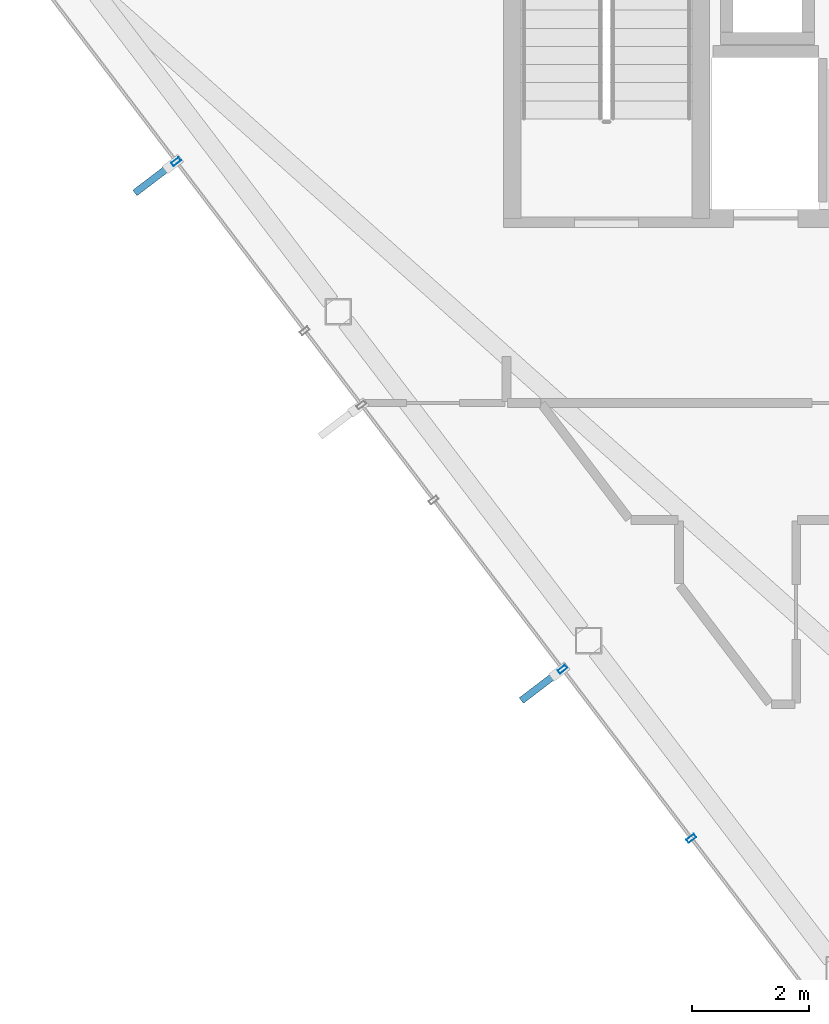
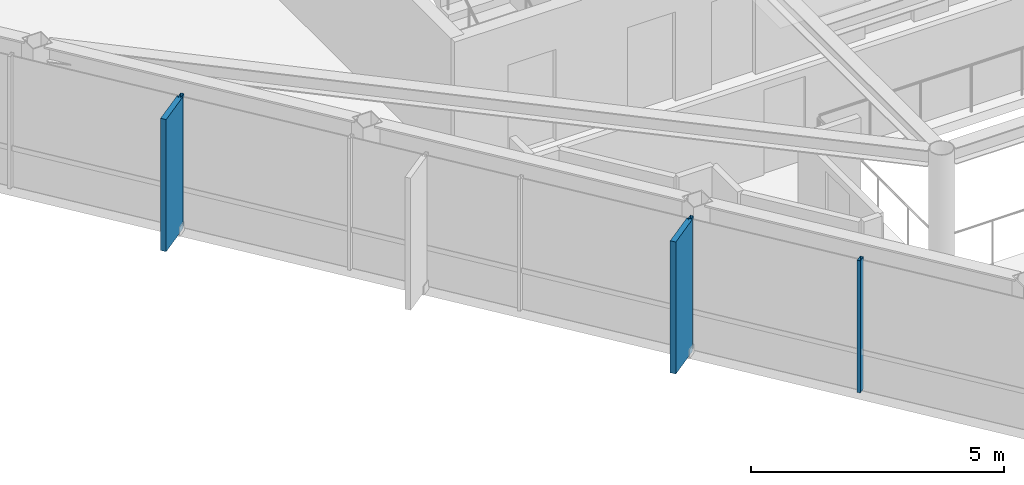
# One storey, part 2 of 23: 5 members, 1 element without a shape of its own.
"""IFC4 building model written with IfcOpenShell, lengths in metres."""

from ifc_helpers import new_model, si_unit, direction, frame, origin, origin_2d, place, context, subcontext, project, spatial, rectangle, hollow_rectangle, extrude, material, layer, layer_set, material_profile, profile_set, type_object, element, aggregate, save


model = new_model("IFC4")

# Units and contexts
model_context = context("Model", 3, precision=1e-05, world=origin(), true_north=direction((0.0, 1.0)))
body_context = subcontext(model_context, "Body", "Model", "MODEL_VIEW")
ifc_project = project(units=[si_unit("LENGTHUNIT", "METRE"), si_unit("AREAUNIT", "SQUARE_METRE"), si_unit("VOLUMEUNIT", "CUBIC_METRE"), si_unit("PLANEANGLEUNIT", "RADIAN"), si_unit("MASSUNIT", "GRAM", prefix="KILO")], contexts=[model_context])

# Site, building, storey
site_placement = place(None, origin())
site = spatial("IfcSite", under=ifc_project, at=site_placement, CompositionType="ELEMENT")
building_placement = place(site_placement, origin())
building = spatial("IfcBuilding", under=site, at=building_placement, Name="Zarrinselat Tower", CompositionType="ELEMENT")
storey_placement = place(building_placement, frame((0.0, 0.0, 282.199951171875)))
storey = spatial("IfcBuildingStorey", under=building, at=storey_placement, Name="L72", CompositionType="ELEMENT", Elevation=282.199951171875)

# Curtain wall, members
ifc_material_1 = material(Name="Extruded Aluminium Alloy EN AW-6063 T6", Category="aluminium")
ifc_layer = layer(ifc_material_1, 0.169921875)
ifc_layer_set = layer_set([ifc_layer], Name="Extruded Aluminium Alloy EN AW-6063 T6")
curtain_wall_type = type_object("IfcCurtainWallType", Name="CWS-RES", PredefinedType="NOTDEFINED", material=ifc_layer_set)
curtain_wall_placement = place(storey_placement, origin())
curtain_wall = element("IfcCurtainWall", 1, at=curtain_wall_placement, inside=storey, type_object=curtain_wall_type, Name="L72 Unitised Curtain Wall CW-L72-E03", PredefinedType="NOTDEFINED")
ifc_material_2 = material(Name="Extruded Aluminium Alloy EN AW-6063 T6", Category="aluminium")
ifc_material_profile_1 = material_profile(ifc_material_2, hollow_rectangle(XDim=0.070068359375, YDim=0.159912109375, WallThickness=0.00390625, at=origin_2d()), Name="RHS 160x70x4")
ifc_profile_set_1 = profile_set([ifc_material_profile_1], Name="Extruded Aluminium Alloy EN AW-6063 T6")
member_type_1 = type_object("IfcMemberType", Name="MEM-CW-MUL2", PredefinedType="MULLION", material=ifc_profile_set_1)
member_1_placement = place(storey_placement, frame((22.906005859375, 34.272216796875, 0.0), z_axis=(0.0, 0.0, 1.0), x_axis=(0.60576733126, -0.795641841772, 0.0)))
member_1 = element("IfcMember", 2, at=member_1_placement, type_object=member_type_1, Name="CW-L72-E03 Mullion 3", PredefinedType="MULLION", context=body_context, shape_type="SweptSolid", body=[
    extrude(hollow_rectangle(XDim=0.070068359375, YDim=0.159912109375, WallThickness=0.00390625, at=origin_2d()), origin(), (0.0, 0.0, 1.0), 3.179931640625),
])
member_2_placement = place(storey_placement, frame((29.50830078125, 25.600341796875, 0.0), z_axis=(0.0, 0.0, 1.0), x_axis=(0.60576733126, -0.795641841772, 0.0)))
member_2 = element("IfcMember", 3, at=member_2_placement, type_object=member_type_1, Name="CW-L72-E03 Mullion 7", PredefinedType="MULLION", context=body_context, shape_type="SweptSolid", body=[
    extrude(hollow_rectangle(XDim=0.070068359375, YDim=0.159912109375, WallThickness=0.00390625, at=origin_2d()), origin(), (0.0, 0.0, 1.0), 3.179931640625),
])
member_3_placement = place(storey_placement, frame((31.708984375, 22.709716796875, 0.0), z_axis=(0.0, 0.0, 1.0), x_axis=(0.60576733126, -0.795641841772, 0.0)))
member_3 = element("IfcMember", 4, at=member_3_placement, type_object=member_type_1, Name="CW-L72-E03 Mullion 8", PredefinedType="MULLION", context=body_context, shape_type="SweptSolid", body=[
    extrude(hollow_rectangle(XDim=0.070068359375, YDim=0.159912109375, WallThickness=0.00390625, at=origin_2d()), origin(), (0.0, 0.0, 1.0), 3.179931640625),
])
ifc_material_3 = material(Name="Honed Cream Travertine Stone", Category="masonry")
ifc_material_profile_2 = material_profile(ifc_material_3, rectangle(XDim=0.1201171875, YDim=0.85009765625, at=origin_2d()), Name="FIN 850x120")
ifc_profile_set_2 = profile_set([ifc_material_profile_2], Name="Honed Cream Travertine Stone")
member_type_2 = type_object("IfcMemberType", Name="MEM-STONE-FIN", PredefinedType="USERDEFINED", material=ifc_profile_set_2)
member_4_placement = place(storey_placement, frame((22.5400390625, 33.993408203125, 0.0), z_axis=(0.0, 0.0, 1.0), x_axis=(-0.60576733126, 0.795641841772, 0.0)))
member_4 = element("IfcMember", 5, at=member_4_placement, type_object=member_type_2, Name="L72 Stone Shading Fin CW-L72-E03-03", ObjectType="FIN", PredefinedType="USERDEFINED", context=body_context, shape_type="SweptSolid", body=[
    extrude(rectangle(XDim=0.1201171875, YDim=0.85009765625, at=origin_2d()), origin(), (0.0, 0.0, 1.0), 3.179931640625),
])
member_5_placement = place(storey_placement, frame((29.142333984375, 25.321533203125, 0.0), z_axis=(0.0, 0.0, 1.0), x_axis=(-0.60576733126, 0.795641841772, 0.0)))
member_5 = element("IfcMember", 6, at=member_5_placement, type_object=member_type_2, Name="L72 Stone Shading Fin CW-L72-E03-07", ObjectType="FIN", PredefinedType="USERDEFINED", context=body_context, shape_type="SweptSolid", body=[
    extrude(rectangle(XDim=0.1201171875, YDim=0.85009765625, at=origin_2d()), origin(), (0.0, 0.0, 1.0), 3.179931640625),
])
aggregate(curtain_wall, [member_1, member_4, member_2, member_5, member_3])

save(model, "model.ifc")
